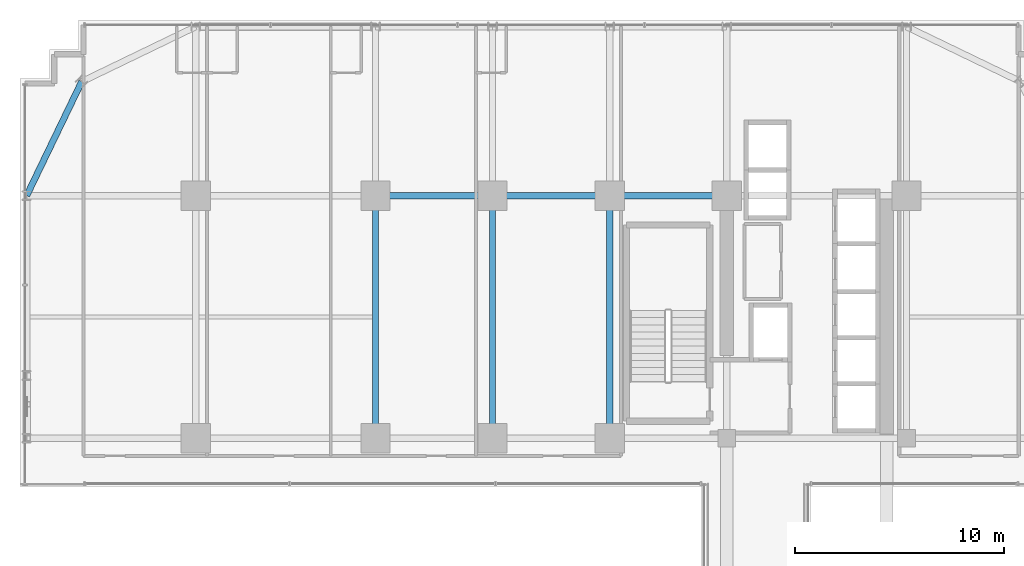
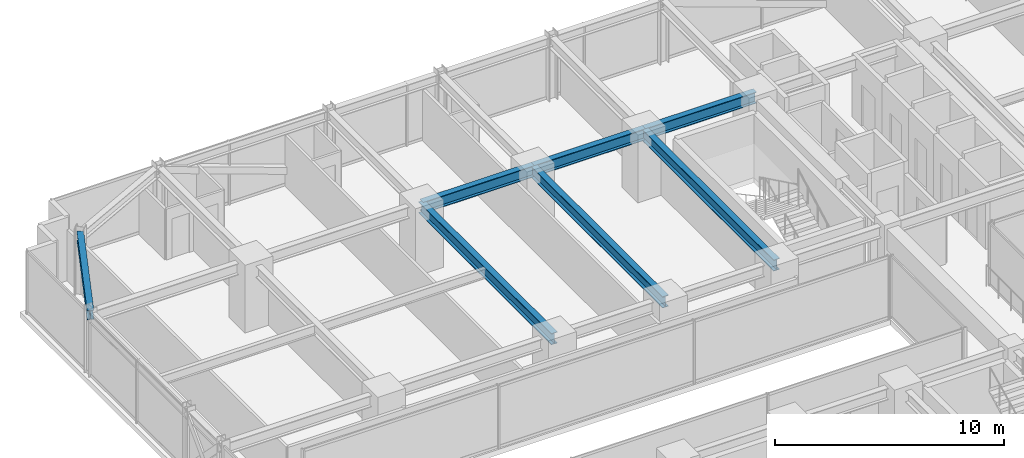
# One storey, part 24 of 43: 7 beams.
"""IFC4 building model written with IfcOpenShell, lengths in metres."""

from ifc_helpers import new_model, si_unit, direction, frame, origin, origin_2d, place, context, subcontext, project, spatial, i_section, extrude, source, transform, mapped, material, material_profile, profile_set, type_object, element, save


model = new_model("IFC4")

# Units and contexts
model_context = context("Model", 3, precision=1e-05, world=origin(), true_north=direction((0.0, 1.0)))
body_context = subcontext(model_context, "Body", "Model", "MODEL_VIEW")
ifc_project = project(units=[si_unit("LENGTHUNIT", "METRE"), si_unit("AREAUNIT", "SQUARE_METRE"), si_unit("VOLUMEUNIT", "CUBIC_METRE"), si_unit("PLANEANGLEUNIT", "RADIAN"), si_unit("MASSUNIT", "GRAM", prefix="KILO")], contexts=[model_context])

# Site, building, storey
site_placement = place(None, origin())
site = spatial("IfcSite", under=ifc_project, at=site_placement, CompositionType="ELEMENT")
building_placement = place(site_placement, origin())
building = spatial("IfcBuilding", under=site, at=building_placement, Name="Nahalor Promenade Grand Hotel", CompositionType="ELEMENT")
storey_placement = place(building_placement, frame((0.0, 0.0, 57.949951171875)))
storey = spatial("IfcBuildingStorey", under=building, at=storey_placement, Name="L13", CompositionType="ELEMENT", Elevation=57.949951171875)

# Beams
ifc_material = material(Name="Steel S355JR", Category="steel")
ifc_material_profile_1 = material_profile(ifc_material, i_section(OverallWidth=0.3, OverallDepth=0.6, WebThickness=0.0155, FlangeThickness=0.03, at=origin_2d()), Name="HEB 600")
ifc_profile_set_1 = profile_set([ifc_material_profile_1], Name="Steel S355JR")
beam_type_1 = type_object("IfcBeamType", Name="Beam-Girder-HEB600", PredefinedType="BEAM", material=ifc_profile_set_1)
shared_shape_1 = source(origin(), body_context, "Body", "SweptSolid", [
    extrude(i_section(OverallWidth=0.3, OverallDepth=0.6, WebThickness=0.0155, FlangeThickness=0.03, at=origin_2d()), origin(), (0.0, 0.0, 1.0), 5.599853515625),
])
for number, where, z_axis, x_axis, name in (
    (1, (-8.39990234375, 17.0, 3.070068359375), (1.0, 0.0, 0.0), (0.0, 1.0, 0.0), "BM-L13-GX-3-2"),
    (2, (2.800048828125, 17.0, 3.070068359375), (1.0, 0.0, 0.0), (0.0, 1.0, 0.0), "BM-L13-GX-3-4"),
):
    element("IfcBeam", number, at=place(storey_placement, frame(where, z_axis=z_axis, x_axis=x_axis)), inside=storey, type_object=beam_type_1, Name=name, PredefinedType="BEAM", context=body_context, shape_type="MappedRepresentation", body=[
        mapped(shared_shape_1, transform((0.0, 0.0, 0.0), scale=1.0)),
    ])
shared_shape_2 = source(origin(), body_context, "Body", "SweptSolid", [
    extrude(i_section(OverallWidth=0.3, OverallDepth=0.6, WebThickness=0.0155, FlangeThickness=0.03, at=origin_2d()), origin(), (0.0, 0.0, 1.0), 5.60009765625),
])
beam_1_placement = place(storey_placement, frame((-2.800048828125, 17.0, 3.070068359375), z_axis=(1.0, 0.0, 0.0), x_axis=(0.0, 1.0, 0.0)))
element("IfcBeam", 3, at=beam_1_placement, inside=storey, type_object=beam_type_1, Name="BM-L13-GX-3-3", PredefinedType="BEAM", context=body_context, shape_type="MappedRepresentation", body=[
    mapped(shared_shape_2, transform((0.0, 0.0, 0.0), scale=1.0)),
])
shared_shape_3 = source(origin(), body_context, "Body", "SweptSolid", [
    extrude(i_section(OverallWidth=0.3, OverallDepth=0.6, WebThickness=0.0155, FlangeThickness=0.03, at=origin_2d()), origin(), (0.0, 0.0, 1.0), 11.60009765625),
])
for number, where, z_axis, x_axis, name in (
    (4, (-8.39990234375, 5.39990234375, 3.070068359375), (0.0, 1.0, 0.0), (-1.0, 0.0, 0.0), "BM-L13-GY-1-3"),
    (5, (-2.800048828125, 5.39990234375, 3.070068359375), (0.0, 1.0, 0.0), (-1.0, 0.0, 0.0), "BM-L13-GY-2-3"),
    (6, (2.800048828125, 5.39990234375, 3.070068359375), (0.0, 1.0, 0.0), (-1.0, 0.0, 0.0), "BM-L13-GY-3-3"),
):
    element("IfcBeam", number, at=place(storey_placement, frame(where, z_axis=z_axis, x_axis=x_axis)), inside=storey, type_object=beam_type_1, Name=name, PredefinedType="BEAM", context=body_context, shape_type="MappedRepresentation", body=[
        mapped(shared_shape_3, transform((0.0, 0.0, 0.0), scale=1.0)),
    ])
ifc_material_profile_2 = material_profile(ifc_material, i_section(OverallWidth=0.3, OverallDepth=0.5, WebThickness=0.0145, FlangeThickness=0.028, at=origin_2d()), Name="HEB 500")
ifc_profile_set_2 = profile_set([ifc_material_profile_2], Name="Steel S355JR")
beam_type_2 = type_object("IfcBeamType", Name="Beam-Spandrel-HEB500", PredefinedType="SPANDREL", material=ifc_profile_set_2)
shared_shape_4 = source(origin(), body_context, "Body", "SweptSolid", [
    extrude(i_section(OverallWidth=0.3, OverallDepth=0.5, WebThickness=0.0145, FlangeThickness=0.028, at=origin_2d()), origin(), (0.0, 0.0, 1.0), 6.051513671875),
])
beam_2_placement = place(storey_placement, frame((-22.449951171875, 22.449951171875, 3.1201171875), z_axis=(-0.434630596492, -0.900608818852, 0.0), x_axis=(0.900608818852, -0.434630596492, 0.0)))
element("IfcBeam", 7, at=beam_2_placement, inside=storey, type_object=beam_type_2, Name="BM-L13-SPC-NW-2", PredefinedType="SPANDREL", context=body_context, shape_type="MappedRepresentation", body=[
    mapped(shared_shape_4, transform((0.0, 0.0, 0.0), scale=1.0)),
])

save(model, "model.ifc")
